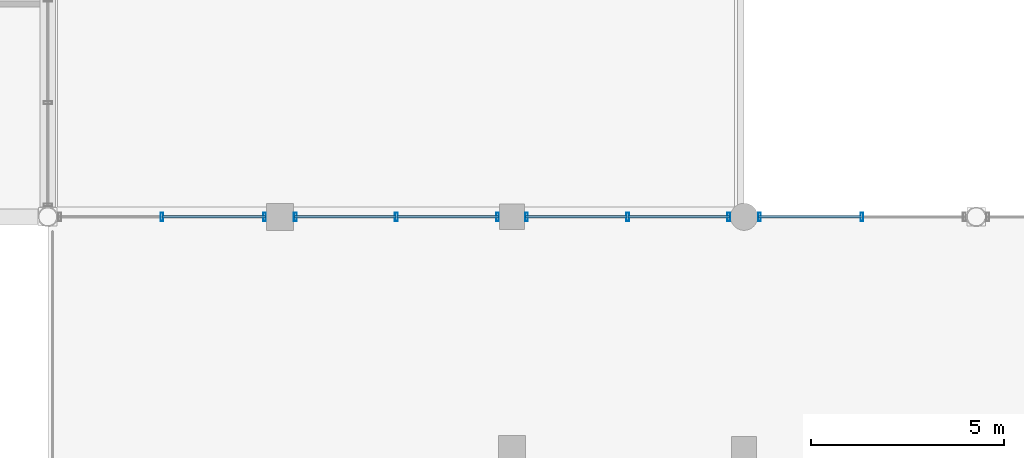
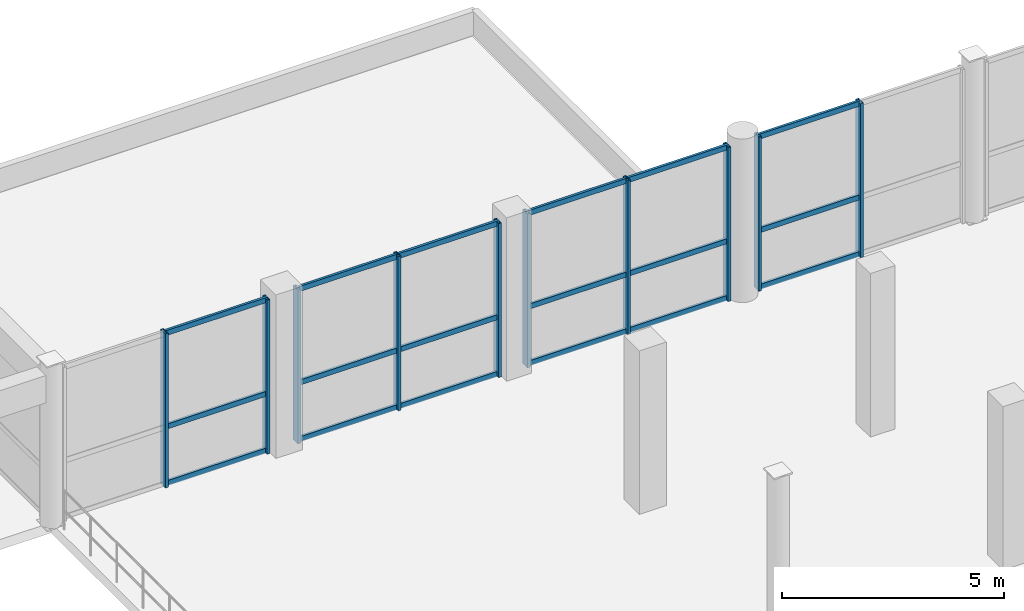
# One storey, part 61 of 116: 28 members, 4 elements without a shape of their own.
"""IFC4 building model written with IfcOpenShell, lengths in metres."""

from ifc_helpers import new_model, si_unit, direction, frame, origin, origin_2d, place, context, subcontext, project, spatial, hollow_rectangle, extrude, material, material_profile, profile_set, type_object, element, aggregate, save


model = new_model("IFC4")

# Units and contexts
model_context = context("Model", 3, precision=1e-05, world=origin(), true_north=direction((0.0, 1.0)))
body_context = subcontext(model_context, "Body", "Model", "MODEL_VIEW")
ifc_project = project(units=[si_unit("LENGTHUNIT", "METRE"), si_unit("AREAUNIT", "SQUARE_METRE"), si_unit("VOLUMEUNIT", "CUBIC_METRE"), si_unit("PLANEANGLEUNIT", "RADIAN"), si_unit("MASSUNIT", "GRAM", prefix="KILO"), si_unit("THERMODYNAMICTEMPERATUREUNIT", "KELVIN"), si_unit("POWERUNIT", "WATT")], contexts=[model_context])

# Site, building, storey
site_placement = place(None, origin())
site = spatial("IfcSite", under=ifc_project, at=site_placement, CompositionType="ELEMENT")
building_placement = place(site_placement, origin())
building = spatial("IfcBuilding", under=site, at=building_placement, Name="Phaisarnlok Congress Hotel", CompositionType="ELEMENT")
storey_placement = place(building_placement, frame((0.0, 0.0, 10.5)))
storey = spatial("IfcBuildingStorey", under=building, at=storey_placement, Name="L02", CompositionType="ELEMENT", Elevation=10.5)

# Curtain wall, members
ifc_material_1 = material(Name="Thermally Broken Unitised Aluminium & Low-E Glazing", Category="aluminium")
curtain_wall_type_1 = type_object("IfcCurtainWallType", Name="CW-UNIT-26", PredefinedType="NOTDEFINED", material=ifc_material_1)
curtain_wall_1_placement = place(storey_placement, origin())
curtain_wall_1 = element("IfcCurtainWall", 1, at=curtain_wall_1_placement, inside=storey, type_object=curtain_wall_type_1, Name="Unitised curtain wall CW-26 (L02)", PredefinedType="NOTDEFINED")
ifc_material_2 = material(Name="Anodised Aluminium Alloy 6063-T6", Category="aluminium")
ifc_material_profile_1 = material_profile(ifc_material_2, hollow_rectangle(XDim=0.074951171875, YDim=0.219970703125, WallThickness=0.0048828125, at=origin_2d()), Name="ALU-M 75x220x5")
ifc_profile_set_1 = profile_set([ifc_material_profile_1], Name="Anodised Aluminium Alloy 6063-T6")
member_type_1 = type_object("IfcMemberType", Name="CWM-220", PredefinedType="MULLION", material=ifc_profile_set_1)
member_1_placement = place(storey_placement, frame((147.048095703125, 84.0, 0.0), z_axis=(0.0, 0.0, 1.0), x_axis=(-1.0, 0.0, 0.0)))
member_1 = element("IfcMember", 2, at=member_1_placement, type_object=member_type_1, Name="Curtain wall mullion CWM-02", PredefinedType="MULLION", context=body_context, shape_type="SweptSolid", body=[
    extrude(hollow_rectangle(XDim=0.074951171875, YDim=0.219970703125, WallThickness=0.0048828125, at=origin_2d()), origin(), (0.0, 0.0, 1.0), 4.239990234375),
])
member_2_placement = place(storey_placement, frame((144.39990234375, 84.0, 0.0), z_axis=(0.0, 0.0, 1.0), x_axis=(-1.0, 0.0, 0.0)))
member_2 = element("IfcMember", 3, at=member_2_placement, type_object=member_type_1, Name="Curtain wall mullion CWM-02", PredefinedType="MULLION", context=body_context, shape_type="SweptSolid", body=[
    extrude(hollow_rectangle(XDim=0.074951171875, YDim=0.219970703125, WallThickness=0.0048828125, at=origin_2d()), origin(), (0.0, 0.0, 1.0), 4.239990234375),
])

curtain_wall_type_2 = type_object("IfcCurtainWallType", Name="CW-UNIT-25", PredefinedType="NOTDEFINED", material=ifc_material_1)
curtain_wall_2_placement = place(storey_placement, origin())
curtain_wall_2 = element("IfcCurtainWall", 4, at=curtain_wall_2_placement, inside=storey, type_object=curtain_wall_type_2, Name="Unitised curtain wall CW-25 (L02)", PredefinedType="NOTDEFINED")
member_3_placement = place(storey_placement, frame((143.60009765625, 84.0, 0.0), z_axis=(0.0, 0.0, 1.0), x_axis=(-1.0, 0.0, 0.0)))
member_3 = element("IfcMember", 5, at=member_3_placement, type_object=member_type_1, Name="Curtain wall mullion CWM-02", PredefinedType="MULLION", context=body_context, shape_type="SweptSolid", body=[
    extrude(hollow_rectangle(XDim=0.074951171875, YDim=0.219970703125, WallThickness=0.0048828125, at=origin_2d()), origin(), (0.0, 0.0, 1.0), 4.239990234375),
])
member_4_placement = place(storey_placement, frame((140.987548828125, 84.0, 0.0), z_axis=(0.0, 0.0, 1.0), x_axis=(-1.0, 0.0, 0.0)))
member_4 = element("IfcMember", 6, at=member_4_placement, type_object=member_type_1, Name="Curtain wall mullion CWM-02", PredefinedType="MULLION", context=body_context, shape_type="SweptSolid", body=[
    extrude(hollow_rectangle(XDim=0.074951171875, YDim=0.219970703125, WallThickness=0.0048828125, at=origin_2d()), origin(), (0.0, 0.0, 1.0), 4.239990234375),
])
member_5_placement = place(storey_placement, frame((138.375, 84.0, 0.0), z_axis=(0.0, 0.0, 1.0), x_axis=(-1.0, 0.0, 0.0)))
member_5 = element("IfcMember", 7, at=member_5_placement, type_object=member_type_1, Name="Curtain wall mullion CWM-02", PredefinedType="MULLION", context=body_context, shape_type="SweptSolid", body=[
    extrude(hollow_rectangle(XDim=0.074951171875, YDim=0.219970703125, WallThickness=0.0048828125, at=origin_2d()), origin(), (0.0, 0.0, 1.0), 4.239990234375),
])

curtain_wall_3_placement = place(storey_placement, origin())
curtain_wall_3 = element("IfcCurtainWall", 8, at=curtain_wall_3_placement, inside=storey, type_object=curtain_wall_type_2, Name="Unitised curtain wall CW-25 (L02)", PredefinedType="NOTDEFINED")
member_6_placement = place(storey_placement, frame((137.625, 84.0, 0.0), z_axis=(0.0, 0.0, 1.0), x_axis=(-1.0, 0.0, 0.0)))
member_6 = element("IfcMember", 9, at=member_6_placement, type_object=member_type_1, Name="Curtain wall mullion CWM-02", PredefinedType="MULLION", context=body_context, shape_type="SweptSolid", body=[
    extrude(hollow_rectangle(XDim=0.074951171875, YDim=0.219970703125, WallThickness=0.0048828125, at=origin_2d()), origin(), (0.0, 0.0, 1.0), 4.239990234375),
])
member_7_placement = place(storey_placement, frame((135.012451171875, 84.0, 0.0), z_axis=(0.0, 0.0, 1.0), x_axis=(-1.0, 0.0, 0.0)))
member_7 = element("IfcMember", 10, at=member_7_placement, type_object=member_type_1, Name="Curtain wall mullion CWM-02", PredefinedType="MULLION", context=body_context, shape_type="SweptSolid", body=[
    extrude(hollow_rectangle(XDim=0.074951171875, YDim=0.219970703125, WallThickness=0.0048828125, at=origin_2d()), origin(), (0.0, 0.0, 1.0), 4.239990234375),
])
member_8_placement = place(storey_placement, frame((132.39990234375, 84.0, 0.0), z_axis=(0.0, 0.0, 1.0), x_axis=(-1.0, 0.0, 0.0)))
member_8 = element("IfcMember", 11, at=member_8_placement, type_object=member_type_1, Name="Curtain wall mullion CWM-02", PredefinedType="MULLION", context=body_context, shape_type="SweptSolid", body=[
    extrude(hollow_rectangle(XDim=0.074951171875, YDim=0.219970703125, WallThickness=0.0048828125, at=origin_2d()), origin(), (0.0, 0.0, 1.0), 4.239990234375),
])

curtain_wall_4_placement = place(storey_placement, origin())
curtain_wall_4 = element("IfcCurtainWall", 12, at=curtain_wall_4_placement, inside=storey, type_object=curtain_wall_type_1, Name="Unitised curtain wall CW-26 (L02)", PredefinedType="NOTDEFINED")
member_9_placement = place(storey_placement, frame((131.60009765625, 84.0, 0.0), z_axis=(0.0, 0.0, 1.0), x_axis=(-1.0, 0.0, 0.0)))
member_9 = element("IfcMember", 13, at=member_9_placement, type_object=member_type_1, Name="Curtain wall mullion CWM-02", PredefinedType="MULLION", context=body_context, shape_type="SweptSolid", body=[
    extrude(hollow_rectangle(XDim=0.074951171875, YDim=0.219970703125, WallThickness=0.0048828125, at=origin_2d()), origin(), (0.0, 0.0, 1.0), 4.239990234375),
])
member_10_placement = place(storey_placement, frame((128.951904296875, 84.0, 0.0), z_axis=(0.0, 0.0, 1.0), x_axis=(-1.0, 0.0, 0.0)))
member_10 = element("IfcMember", 14, at=member_10_placement, type_object=member_type_1, Name="Curtain wall mullion CWM-02", PredefinedType="MULLION", context=body_context, shape_type="SweptSolid", body=[
    extrude(hollow_rectangle(XDim=0.074951171875, YDim=0.219970703125, WallThickness=0.0048828125, at=origin_2d()), origin(), (0.0, 0.0, 1.0), 4.239990234375),
])

# Member
ifc_material_profile_2 = material_profile(ifc_material_2, hollow_rectangle(XDim=0.06494140625, YDim=0.139892578125, WallThickness=0.00390625, at=origin_2d()), Name="ALU-T 65x140x4")
ifc_profile_set_2 = profile_set([ifc_material_profile_2], Name="Anodised Aluminium Alloy 6063-T6")
member_type_2 = type_object("IfcMemberType", Name="CWT-150", PredefinedType="USERDEFINED", material=ifc_profile_set_2)
member_11_placement = place(storey_placement, frame((147.032958984375, 84.0, 0.050048828125), z_axis=(-1.0, 0.0, 0.0), x_axis=(0.0, -1.0, 0.0)))
member_11 = element("IfcMember", 15, at=member_11_placement, type_object=member_type_2, Name="Curtain wall transom CWT-01", ObjectType="TRANSOM", PredefinedType="USERDEFINED", context=body_context, shape_type="SweptSolid", body=[
    extrude(hollow_rectangle(XDim=0.06494140625, YDim=0.139892578125, WallThickness=0.00390625, at=origin_2d()), origin(), (0.0, 0.0, 1.0), 2.657958984375),
])

member_12_placement = place(storey_placement, frame((147.032958984375, 84.0, 1.611083984375), z_axis=(-1.0, 0.0, 0.0), x_axis=(0.0, -1.0, 0.0)))
member_12 = element("IfcMember", 16, at=member_12_placement, type_object=member_type_2, Name="Curtain wall transom CWT-01", ObjectType="TRANSOM", PredefinedType="USERDEFINED", context=body_context, shape_type="SweptSolid", body=[
    extrude(hollow_rectangle(XDim=0.06494140625, YDim=0.139892578125, WallThickness=0.00390625, at=origin_2d()), origin(), (0.0, 0.0, 1.0), 2.657958984375),
])

member_13_placement = place(storey_placement, frame((147.032958984375, 84.0, 4.18994140625), z_axis=(-1.0, 0.0, 0.0), x_axis=(0.0, -1.0, 0.0)))
member_13 = element("IfcMember", 17, at=member_13_placement, type_object=member_type_2, Name="Curtain wall transom CWT-01", ObjectType="TRANSOM", PredefinedType="USERDEFINED", context=body_context, shape_type="SweptSolid", body=[
    extrude(hollow_rectangle(XDim=0.06494140625, YDim=0.139892578125, WallThickness=0.00390625, at=origin_2d()), origin(), (0.0, 0.0, 1.0), 2.657958984375),
])

aggregate(curtain_wall_1, [member_1, member_2, member_11, member_12, member_13])

member_14_placement = place(storey_placement, frame((143.625, 84.0, 0.050048828125), z_axis=(-1.0, 0.0, 0.0), x_axis=(0.0, -1.0, 0.0)))
member_14 = element("IfcMember", 18, at=member_14_placement, type_object=member_type_2, Name="Curtain wall transom CWT-01", ObjectType="TRANSOM", PredefinedType="USERDEFINED", context=body_context, shape_type="SweptSolid", body=[
    extrude(hollow_rectangle(XDim=0.06494140625, YDim=0.139892578125, WallThickness=0.00390625, at=origin_2d()), origin(), (0.0, 0.0, 1.0), 2.62255859375),
])

member_15_placement = place(storey_placement, frame((143.625, 84.0, 1.611083984375), z_axis=(-1.0, 0.0, 0.0), x_axis=(0.0, -1.0, 0.0)))
member_15 = element("IfcMember", 19, at=member_15_placement, type_object=member_type_2, Name="Curtain wall transom CWT-01", ObjectType="TRANSOM", PredefinedType="USERDEFINED", context=body_context, shape_type="SweptSolid", body=[
    extrude(hollow_rectangle(XDim=0.06494140625, YDim=0.139892578125, WallThickness=0.00390625, at=origin_2d()), origin(), (0.0, 0.0, 1.0), 2.62255859375),
])

member_16_placement = place(storey_placement, frame((143.625, 84.0, 4.18994140625), z_axis=(-1.0, 0.0, 0.0), x_axis=(0.0, -1.0, 0.0)))
member_16 = element("IfcMember", 20, at=member_16_placement, type_object=member_type_2, Name="Curtain wall transom CWT-01", ObjectType="TRANSOM", PredefinedType="USERDEFINED", context=body_context, shape_type="SweptSolid", body=[
    extrude(hollow_rectangle(XDim=0.06494140625, YDim=0.139892578125, WallThickness=0.00390625, at=origin_2d()), origin(), (0.0, 0.0, 1.0), 2.62255859375),
])

member_17_placement = place(storey_placement, frame((140.972412109375, 84.0, 0.050048828125), z_axis=(-1.0, 0.0, 0.0), x_axis=(0.0, -1.0, 0.0)))
member_17 = element("IfcMember", 21, at=member_17_placement, type_object=member_type_2, Name="Curtain wall transom CWT-01", ObjectType="TRANSOM", PredefinedType="USERDEFINED", context=body_context, shape_type="SweptSolid", body=[
    extrude(hollow_rectangle(XDim=0.06494140625, YDim=0.139892578125, WallThickness=0.00390625, at=origin_2d()), origin(), (0.0, 0.0, 1.0), 2.622314453125),
])

member_18_placement = place(storey_placement, frame((140.972412109375, 84.0, 1.611083984375), z_axis=(-1.0, 0.0, 0.0), x_axis=(0.0, -1.0, 0.0)))
member_18 = element("IfcMember", 22, at=member_18_placement, type_object=member_type_2, Name="Curtain wall transom CWT-01", ObjectType="TRANSOM", PredefinedType="USERDEFINED", context=body_context, shape_type="SweptSolid", body=[
    extrude(hollow_rectangle(XDim=0.06494140625, YDim=0.139892578125, WallThickness=0.00390625, at=origin_2d()), origin(), (0.0, 0.0, 1.0), 2.622314453125),
])

member_19_placement = place(storey_placement, frame((140.972412109375, 84.0, 4.18994140625), z_axis=(-1.0, 0.0, 0.0), x_axis=(0.0, -1.0, 0.0)))
member_19 = element("IfcMember", 23, at=member_19_placement, type_object=member_type_2, Name="Curtain wall transom CWT-01", ObjectType="TRANSOM", PredefinedType="USERDEFINED", context=body_context, shape_type="SweptSolid", body=[
    extrude(hollow_rectangle(XDim=0.06494140625, YDim=0.139892578125, WallThickness=0.00390625, at=origin_2d()), origin(), (0.0, 0.0, 1.0), 2.622314453125),
])

aggregate(curtain_wall_2, [member_3, member_4, member_5, member_14, member_15, member_16, member_17, member_18, member_19])

member_20_placement = place(storey_placement, frame((137.64990234375, 84.0, 0.050048828125), z_axis=(-1.0, 0.0, 0.0), x_axis=(0.0, -1.0, 0.0)))
member_20 = element("IfcMember", 24, at=member_20_placement, type_object=member_type_2, Name="Curtain wall transom CWT-01", ObjectType="TRANSOM", PredefinedType="USERDEFINED", context=body_context, shape_type="SweptSolid", body=[
    extrude(hollow_rectangle(XDim=0.06494140625, YDim=0.139892578125, WallThickness=0.00390625, at=origin_2d()), origin(), (0.0, 0.0, 1.0), 2.622314453125),
])

member_21_placement = place(storey_placement, frame((137.64990234375, 84.0, 1.611083984375), z_axis=(-1.0, 0.0, 0.0), x_axis=(0.0, -1.0, 0.0)))
member_21 = element("IfcMember", 25, at=member_21_placement, type_object=member_type_2, Name="Curtain wall transom CWT-01", ObjectType="TRANSOM", PredefinedType="USERDEFINED", context=body_context, shape_type="SweptSolid", body=[
    extrude(hollow_rectangle(XDim=0.06494140625, YDim=0.139892578125, WallThickness=0.00390625, at=origin_2d()), origin(), (0.0, 0.0, 1.0), 2.622314453125),
])

member_22_placement = place(storey_placement, frame((137.64990234375, 84.0, 4.18994140625), z_axis=(-1.0, 0.0, 0.0), x_axis=(0.0, -1.0, 0.0)))
member_22 = element("IfcMember", 26, at=member_22_placement, type_object=member_type_2, Name="Curtain wall transom CWT-01", ObjectType="TRANSOM", PredefinedType="USERDEFINED", context=body_context, shape_type="SweptSolid", body=[
    extrude(hollow_rectangle(XDim=0.06494140625, YDim=0.139892578125, WallThickness=0.00390625, at=origin_2d()), origin(), (0.0, 0.0, 1.0), 2.622314453125),
])

member_23_placement = place(storey_placement, frame((134.99755859375, 84.0, 0.050048828125), z_axis=(-1.0, 0.0, 0.0), x_axis=(0.0, -1.0, 0.0)))
member_23 = element("IfcMember", 27, at=member_23_placement, type_object=member_type_2, Name="Curtain wall transom CWT-01", ObjectType="TRANSOM", PredefinedType="USERDEFINED", context=body_context, shape_type="SweptSolid", body=[
    extrude(hollow_rectangle(XDim=0.06494140625, YDim=0.139892578125, WallThickness=0.00390625, at=origin_2d()), origin(), (0.0, 0.0, 1.0), 2.62255859375),
])

member_24_placement = place(storey_placement, frame((134.99755859375, 84.0, 1.611083984375), z_axis=(-1.0, 0.0, 0.0), x_axis=(0.0, -1.0, 0.0)))
member_24 = element("IfcMember", 28, at=member_24_placement, type_object=member_type_2, Name="Curtain wall transom CWT-01", ObjectType="TRANSOM", PredefinedType="USERDEFINED", context=body_context, shape_type="SweptSolid", body=[
    extrude(hollow_rectangle(XDim=0.06494140625, YDim=0.139892578125, WallThickness=0.00390625, at=origin_2d()), origin(), (0.0, 0.0, 1.0), 2.62255859375),
])

member_25_placement = place(storey_placement, frame((134.99755859375, 84.0, 4.18994140625), z_axis=(-1.0, 0.0, 0.0), x_axis=(0.0, -1.0, 0.0)))
member_25 = element("IfcMember", 29, at=member_25_placement, type_object=member_type_2, Name="Curtain wall transom CWT-01", ObjectType="TRANSOM", PredefinedType="USERDEFINED", context=body_context, shape_type="SweptSolid", body=[
    extrude(hollow_rectangle(XDim=0.06494140625, YDim=0.139892578125, WallThickness=0.00390625, at=origin_2d()), origin(), (0.0, 0.0, 1.0), 2.62255859375),
])

aggregate(curtain_wall_3, [member_6, member_7, member_8, member_20, member_21, member_22, member_23, member_24, member_25])

member_26_placement = place(storey_placement, frame((131.625, 84.0, 0.050048828125), z_axis=(-1.0, 0.0, 0.0), x_axis=(0.0, -1.0, 0.0)))
member_26 = element("IfcMember", 30, at=member_26_placement, type_object=member_type_2, Name="Curtain wall transom CWT-01", ObjectType="TRANSOM", PredefinedType="USERDEFINED", context=body_context, shape_type="SweptSolid", body=[
    extrude(hollow_rectangle(XDim=0.06494140625, YDim=0.139892578125, WallThickness=0.00390625, at=origin_2d()), origin(), (0.0, 0.0, 1.0), 2.657958984375),
])

member_27_placement = place(storey_placement, frame((131.625, 84.0, 1.611083984375), z_axis=(-1.0, 0.0, 0.0), x_axis=(0.0, -1.0, 0.0)))
member_27 = element("IfcMember", 31, at=member_27_placement, type_object=member_type_2, Name="Curtain wall transom CWT-01", ObjectType="TRANSOM", PredefinedType="USERDEFINED", context=body_context, shape_type="SweptSolid", body=[
    extrude(hollow_rectangle(XDim=0.06494140625, YDim=0.139892578125, WallThickness=0.00390625, at=origin_2d()), origin(), (0.0, 0.0, 1.0), 2.657958984375),
])

member_28_placement = place(storey_placement, frame((131.625, 84.0, 4.18994140625), z_axis=(-1.0, 0.0, 0.0), x_axis=(0.0, -1.0, 0.0)))
member_28 = element("IfcMember", 32, at=member_28_placement, type_object=member_type_2, Name="Curtain wall transom CWT-01", ObjectType="TRANSOM", PredefinedType="USERDEFINED", context=body_context, shape_type="SweptSolid", body=[
    extrude(hollow_rectangle(XDim=0.06494140625, YDim=0.139892578125, WallThickness=0.00390625, at=origin_2d()), origin(), (0.0, 0.0, 1.0), 2.657958984375),
])

aggregate(curtain_wall_4, [member_9, member_10, member_26, member_27, member_28])

save(model, "model.ifc")
